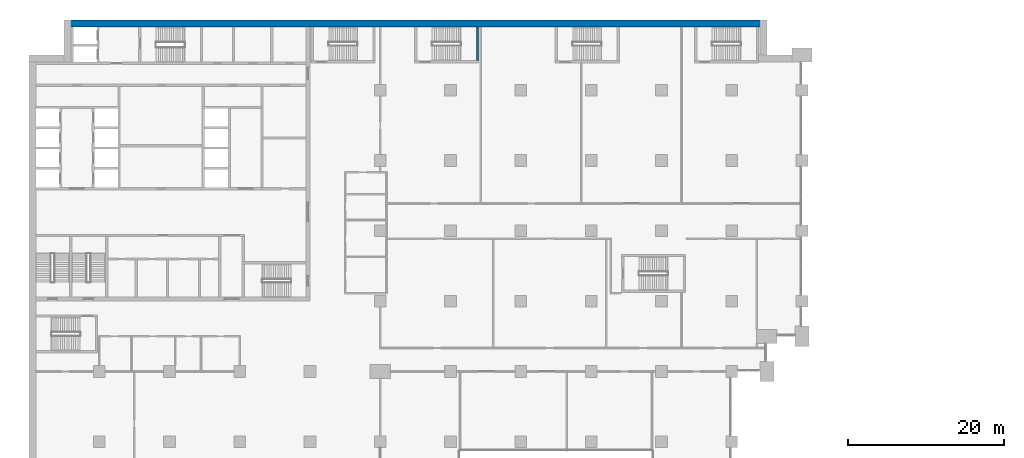
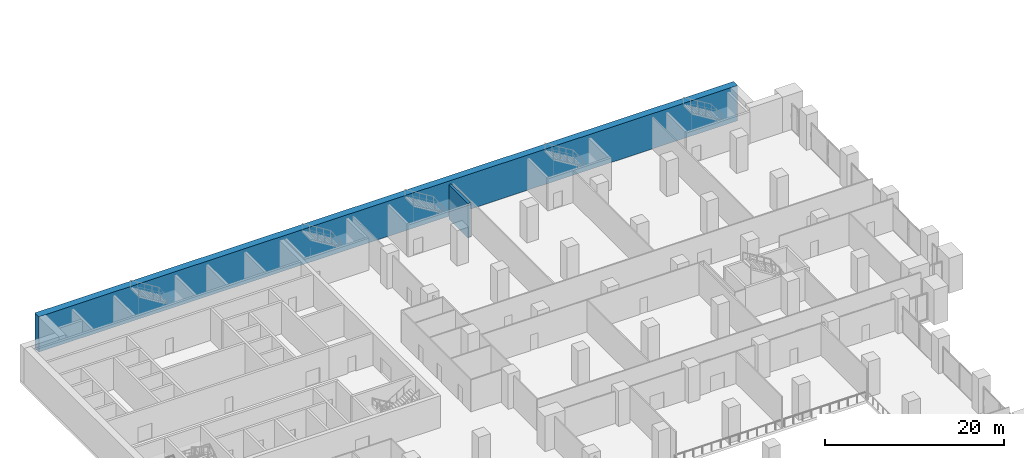
# One storey, part 18 of 32: 2 walls.
"""IFC4 building model written with IfcOpenShell, lengths in metres."""

import ifcopenshell
import ifcopenshell.guid

model = None  # the IFC model being written
_history = None  # IfcOwnerHistory: only IFC2X3 demands one
_inside = {}  # id of a spatial element -> (the spatial element, [elements in it])
_under = {}  # id of a project, library or spatial element -> (it, [spatial elements below it])
_declared = {}  # id of a project -> (the project, [libraries it declares])
_typed = {}  # id of a type object -> (the type object, [elements of that type])
_made_of = {}  # id of a material, layer set ... -> (it, [elements and type objects made of it])


def new_model(schema):
    """Start an empty IFC model of exactly this schema.

    Asked for "IFC4X3", IfcOpenShell would pick the latest addendum, in which some entities
    have other attributes; the version numbers below select the first issue.
    IFC2X3 requires an IfcOwnerHistory on every rooted entity: one is made here for all.
    """
    global model, _history
    if schema == "IFC4X3":
        model = ifcopenshell.file(schema_version=(4, 3, 0, 0))
    else:
        model = ifcopenshell.file(schema=schema)
    _inside.clear()
    _under.clear()
    _declared.clear()
    _typed.clear()
    _made_of.clear()
    _history = None
    if model.schema == "IFC2X3":
        org = make("IfcOrganization", Name="unknown")
        user = make(
            "IfcPersonAndOrganization",
            ThePerson=make("IfcPerson", FamilyName="unknown"),
            TheOrganization=org,
        )
        app = make(
            "IfcApplication",
            ApplicationDeveloper=org,
            Version="unknown",
            ApplicationFullName="unknown",
            ApplicationIdentifier="unknown",
        )
        _history = make(
            "IfcOwnerHistory",
            OwningUser=user,
            OwningApplication=app,
            ChangeAction="ADDED",
            CreationDate=0,
        )
    return model


def make(cls, **values):
    """One entity of the class cls with the attributes given. An attribute that is None is left unset."""
    return model.create_entity(
        cls, **{name: value for name, value in values.items() if value is not None}
    )


def rooted(cls, **values):
    """An entity with a GlobalId (a new one), such as an element, a storey or a relation."""
    return make(cls, GlobalId=ifcopenshell.guid.new(), OwnerHistory=_history, **values)


def si_unit(unit_type, name, prefix=None):
    """IfcSIUnit, for example si_unit("LENGTHUNIT", "METRE", prefix="MILLI")."""
    return make("IfcSIUnit", UnitType=unit_type, Prefix=prefix, Name=name)


def assignment(units):
    """IfcUnitAssignment: the units of a project."""
    return None if units is None else make("IfcUnitAssignment", Units=units)


def point(xyz):
    """IfcCartesianPoint."""
    return None if xyz is None else make("IfcCartesianPoint", Coordinates=xyz)


def direction(xyz):
    """IfcDirection."""
    return None if xyz is None else make("IfcDirection", DirectionRatios=xyz)


def frame(location, z_axis=None, x_axis=None):
    """IfcAxis2Placement3D, a coordinate frame: its origin and axes. An axis left out is left unset."""
    return make(
        "IfcAxis2Placement3D",
        Location=point(location),
        Axis=direction(z_axis),
        RefDirection=direction(x_axis),
    )


def frame_2d(location, x_axis=None):
    """IfcAxis2Placement2D, a coordinate frame in the plane: its origin and x axis."""
    return make(
        "IfcAxis2Placement2D", Location=point(location), RefDirection=direction(x_axis)
    )


def origin():
    """The frame at (0, 0, 0) with its axes left unset."""
    return frame((0.0, 0.0, 0.0))


def place(relative_to, where):
    """IfcLocalPlacement: puts the frame where relative to a parent placement (None: the world)."""
    return make(
        "IfcLocalPlacement", PlacementRelTo=relative_to, RelativePlacement=where
    )


def context(
    kind, dimensions, precision=None, world=None, true_north=None, identifier=None
):
    """IfcGeometricRepresentationContext, for example the 3D "Model" context."""
    return make(
        "IfcGeometricRepresentationContext",
        ContextIdentifier=identifier,
        ContextType=kind,
        CoordinateSpaceDimension=dimensions,
        Precision=precision,
        WorldCoordinateSystem=world,
        TrueNorth=true_north,
    )


def subcontext(parent, identifier, kind, view, scale=None):
    """IfcGeometricRepresentationSubContext, for example "Body" below "Model"."""
    return make(
        "IfcGeometricRepresentationSubContext",
        ContextIdentifier=identifier,
        ContextType=kind,
        ParentContext=parent,
        TargetScale=scale,
        TargetView=view,
    )


def project(units=None, contexts=None):
    """IfcProject with its units and contexts."""
    return rooted(
        "IfcProject",
        Name="project",
        RepresentationContexts=contexts,
        UnitsInContext=assignment(units),
    )


def spatial(cls, under=None, at=None, **own):
    """A site, building, storey or space (cls), placed at a placement, below another one or the project."""
    s = rooted(cls, ObjectPlacement=at, **own)
    if under is not None:
        _under.setdefault(under.id(), (under, []))[1].append(s)
    return s


def profile(cls, at=None, kind="AREA", **sizes):
    """A parametric profile (cls). Its sizes go by their IFC names, for example OverallWidth=200.0."""
    return make(cls, ProfileType=kind, Position=at, **sizes)


def rectangle(**sizes):
    """IfcRectangleProfileDef."""
    return profile("IfcRectangleProfileDef", **sizes)


def extrude(swept, where, along, depth):
    """IfcExtrudedAreaSolid: the profile swept, set in the frame where, extruded along a direction by depth."""
    return make(
        "IfcExtrudedAreaSolid",
        SweptArea=swept,
        Position=where,
        ExtrudedDirection=direction(along),
        Depth=depth,
    )


def shape(context_of_items, identifier, shape_type, items):
    """IfcShapeRepresentation: the items that make up one representation, for example the "Body"."""
    return make(
        "IfcShapeRepresentation",
        ContextOfItems=context_of_items,
        RepresentationIdentifier=identifier,
        RepresentationType=shape_type,
        Items=items,
    )


def material(Name=None, Category=None):
    """IfcMaterial."""
    return make("IfcMaterial", Name=Name, Category=Category)


def layer(
    of_material, thickness, ventilated=None, Name=None, Category=None, Priority=None
):
    """IfcMaterialLayer: one layer of a wall or slab, of a material (None: an air gap)."""
    return make(
        "IfcMaterialLayer",
        Material=of_material,
        LayerThickness=thickness,
        IsVentilated=ventilated,
        Name=Name,
        Category=Category,
        Priority=Priority,
    )


def layer_set(layers, Name=None):
    """IfcMaterialLayerSet."""
    return make("IfcMaterialLayerSet", MaterialLayers=layers, LayerSetName=Name)


def made_of(thing, what):
    """Note that an element or type object is made of a material, layer set ...; save() writes the relation."""
    if what is not None:
        _made_of.setdefault(what.id(), (what, []))[1].append(thing)
    return thing


def type_object(cls, material=None, **own):
    """A type object (cls), such as IfcWallType, which elements share."""
    return made_of(rooted(cls, **own), material)


def element(
    cls,
    number,
    at=None,
    inside=None,
    cuts=None,
    type_object=None,
    material=None,
    context=None,
    identifier="Body",
    shape_type=None,
    held_by="IfcProductDefinitionShape",
    body=None,
    shapes=None,
    **own,
):
    """One element of the class cls, such as IfcWall. Its Tag is "e" and its number.

    at: its placement. inside: the storey or other place that contains it. cuts: it is an
    opening in that element (IfcRelVoidsElement). A single representation is given by context,
    identifier, shape_type and body (its items); several are given by shapes. held_by: the class
    of the entity that holds the representations. save() writes the other relations.
    """
    e = rooted(cls, Tag="e%d" % number, ObjectPlacement=at, **own)
    if body is not None:
        shapes = [shape(context, identifier, shape_type, body)]
    if shapes is not None:
        e.Representation = make(held_by, Representations=shapes)
    if inside is not None:
        _inside.setdefault(inside.id(), (inside, []))[1].append(e)
    if cuts is not None:
        rooted(
            "IfcRelVoidsElement", RelatingBuildingElement=cuts, RelatedOpeningElement=e
        )
    if type_object is not None:
        _typed.setdefault(type_object.id(), (type_object, []))[1].append(e)
    return made_of(e, material)


def aggregate(whole, parts):
    """IfcRelAggregates: a whole, such as a stair, and the parts it consists of."""
    return rooted("IfcRelAggregates", RelatingObject=whole, RelatedObjects=parts)


def save(model, path):
    """Write the relations noted so far, then the file.

    IfcRelAggregates (storeys below a building ...), IfcRelContainedInSpatialStructure (elements
    in a storey), IfcRelDefinesByType, IfcRelAssociatesMaterial and IfcRelDeclares: one each for
    every whole, place, type object, material and project.
    """
    for whole, parts in _under.values():
        aggregate(whole, parts)
    for where, things in _inside.values():
        rooted(
            "IfcRelContainedInSpatialStructure",
            RelatedElements=things,
            RelatingStructure=where,
        )
    for kind, things in _typed.values():
        rooted("IfcRelDefinesByType", RelatedObjects=things, RelatingType=kind)
    for what, things in _made_of.values():
        rooted("IfcRelAssociatesMaterial", RelatedObjects=things, RelatingMaterial=what)
    for by, libraries in _declared.values():
        rooted("IfcRelDeclares", RelatingContext=by, RelatedDefinitions=libraries)
    model.write(path)


model = new_model("IFC4")

# Units and contexts
model_context = context("Model", 3, precision=1e-05, world=origin(), true_north=direction((0.0, 1.0)))
body_context = subcontext(model_context, "Body", "Model", "MODEL_VIEW")
ifc_project = project(units=[si_unit("LENGTHUNIT", "METRE"), si_unit("AREAUNIT", "SQUARE_METRE"), si_unit("VOLUMEUNIT", "CUBIC_METRE"), si_unit("PLANEANGLEUNIT", "RADIAN"), si_unit("MASSUNIT", "GRAM", prefix="KILO")], contexts=[model_context])

# Site, building, storey
site_placement = place(None, origin())
site = spatial("IfcSite", under=ifc_project, at=site_placement, CompositionType="ELEMENT")
building_placement = place(site_placement, origin())
building = spatial("IfcBuilding", under=site, at=building_placement, Name="Hunhe Ridgeline Campus", CompositionType="ELEMENT")
storey_placement = place(building_placement, frame((0.0, 0.0, 26.39990234375)))
storey = spatial("IfcBuildingStorey", under=building, at=storey_placement, Name="L05", CompositionType="ELEMENT", Elevation=26.39990234375)

# Walls
ifc_material = material(Name="Concrete C80", Category="concrete")
ifc_layer_1 = layer(ifc_material, 0.89990234375)
ifc_layer_set_1 = layer_set([ifc_layer_1], Name="Spine wall 900 Concrete C80")
wall_type_1 = type_object("IfcWallType", Name="Spine wall 900 Concrete C80", PredefinedType="SHEAR", material=ifc_layer_set_1)
wall_1_placement = place(storey_placement, frame((94.5, 98.550048828125, 0.0), z_axis=(0.0, 0.0, 1.0), x_axis=(-1.0, 0.0, 0.0)))
element("IfcWall", 1, at=wall_1_placement, inside=storey, type_object=wall_type_1, Name="Spine wall SW1-4 L05", PredefinedType="SHEAR", context=body_context, shape_type="SweptSolid", body=[
    extrude(rectangle(XDim=90.0, YDim=0.89990234375, at=frame_2d((45.0, 0.0))), origin(), (0.0, 0.0, 1.0), 4.800048828125),
])
ifc_layer_2 = layer(ifc_material, 0.300048828125)
ifc_layer_set_2 = layer_set([ifc_layer_2], Name="Stair wall 300 reinforced concrete C80")
wall_type_2 = type_object("IfcWallType", Name="Stair wall 300 reinforced concrete C80", PredefinedType="SOLIDWALL", material=ifc_layer_set_2)
wall_2_placement = place(storey_placement, frame((57.449951171875, 93.800048828125, -0.349853515625), z_axis=(0.0, 0.0, 1.0), x_axis=(0.0, 1.0, 0.0)))
element("IfcWall", 2, at=wall_2_placement, inside=storey, type_object=wall_type_2, Name="L05 core wall 67", PredefinedType="SOLIDWALL", context=body_context, shape_type="SweptSolid", body=[
    extrude(rectangle(XDim=4.300048828125, YDim=0.300048828125, at=frame_2d((2.14990234375, 0.0))), origin(), (0.0, 0.0, 1.0), 4.699951171875),
])

save(model, "model.ifc")
